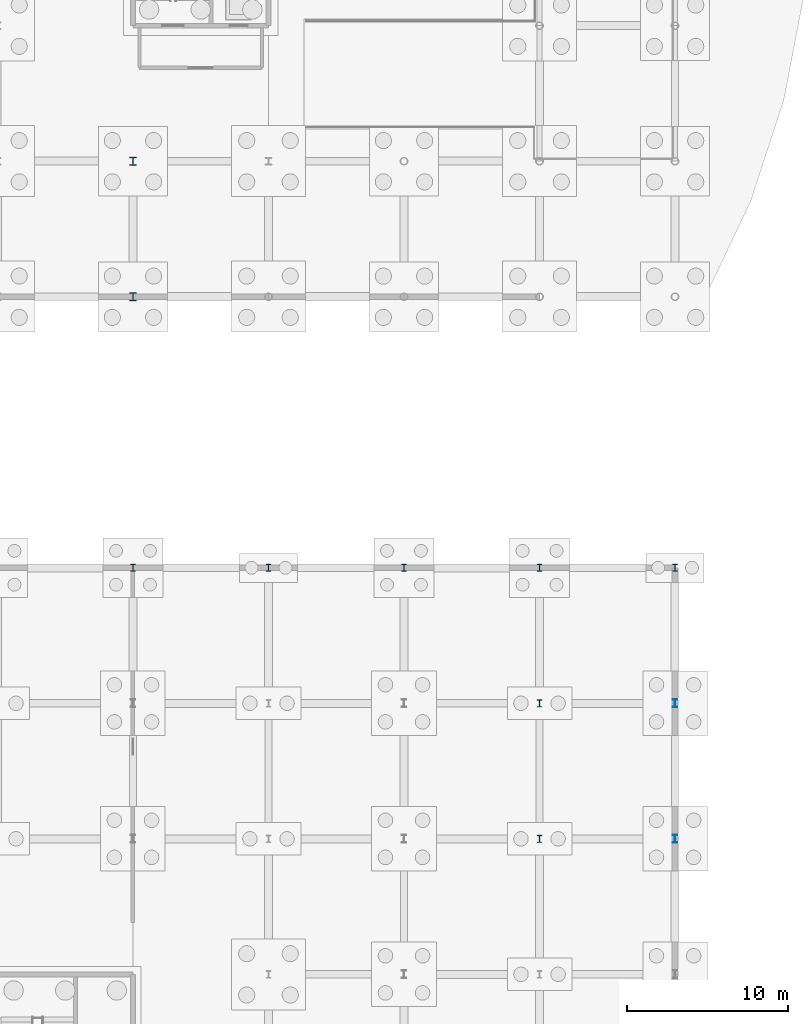
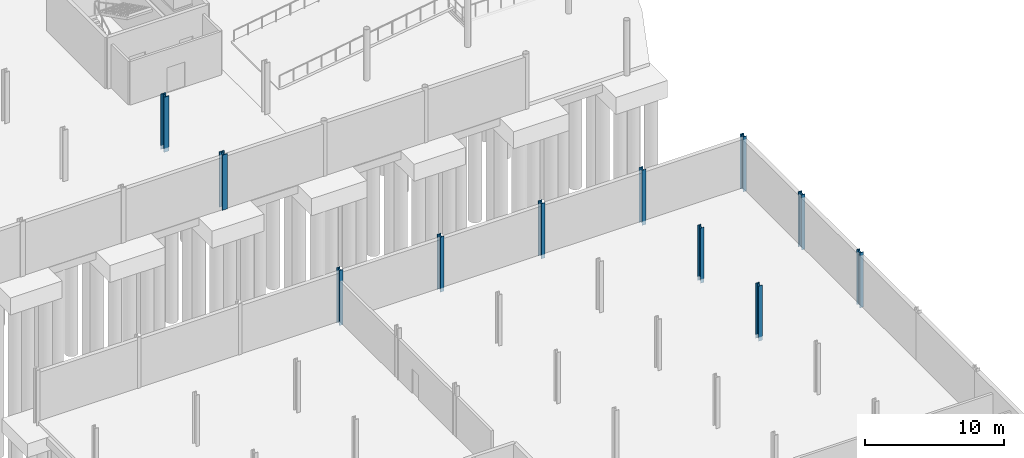
# One storey, part 27 of 51: 11 columns.
"""IFC4 building model written with IfcOpenShell, lengths in metres."""

from ifc_helpers import new_model, si_unit, direction, frame, origin, origin_2d, place, context, subcontext, project, spatial, i_section, extrude, material, material_profile, profile_set, type_object, element, save


model = new_model("IFC4")

# Units and contexts
model_context = context("Model", 3, precision=1e-05, world=origin(), true_north=direction((0.0, 1.0)))
body_context = subcontext(model_context, "Body", "Model", "MODEL_VIEW")
ifc_project = project(units=[si_unit("LENGTHUNIT", "METRE"), si_unit("AREAUNIT", "SQUARE_METRE"), si_unit("VOLUMEUNIT", "CUBIC_METRE"), si_unit("PLANEANGLEUNIT", "RADIAN"), si_unit("MASSUNIT", "GRAM", prefix="KILO")], contexts=[model_context])

# Site, building, storey
site_placement = place(None, origin())
site = spatial("IfcSite", under=ifc_project, at=site_placement, CompositionType="ELEMENT")
building_placement = place(site_placement, origin())
building = spatial("IfcBuilding", under=site, at=building_placement, Name="Qalvenar Corner Mobility Hub", CompositionType="ELEMENT")
storey_placement = place(building_placement, frame((0.0, 0.0, -4.5)))
storey = spatial("IfcBuildingStorey", under=building, at=storey_placement, Name="B1", CompositionType="ELEMENT", Elevation=-4.5)

# Columns
ifc_material = material(Name="Steel S355", Category="steel")
ifc_material_profile_1 = material_profile(ifc_material, i_section(OverallWidth=0.419921875, OverallDepth=0.5048828125, WebThickness=0.03662109375, FlangeThickness=0.05908203125, FilletRadius=0.014892578125, at=origin_2d()), Name="HD400x551")
ifc_profile_set_1 = profile_set([ifc_material_profile_1], Name="Steel S355")
column_type_1 = type_object("IfcColumnType", Name="COL-HD400X463", PredefinedType="COLUMN", material=ifc_profile_set_1)
for number, where, z_axis, x_axis, name in (
    (1, (134.39990234375, 67.199951171875, -0.35009765625), (0.0, 0.0, 1.0), (1.0, 0.0, 0.0), "Steel Column B1-G17-8"),
    (2, (134.39990234375, 75.60009765625, -0.35009765625), (0.0, 0.0, 1.0), (1.0, 0.0, 0.0), "Steel Column B1-G17-9"),
):
    element("IfcColumn", number, at=place(storey_placement, frame(where, z_axis=z_axis, x_axis=x_axis)), inside=storey, type_object=column_type_1, Name=name, PredefinedType="COLUMN", context=body_context, shape_type="SweptSolid", body=[
        extrude(i_section(OverallWidth=0.419921875, OverallDepth=0.5048828125, WebThickness=0.03662109375, FlangeThickness=0.05908203125, FilletRadius=0.014892578125, at=origin_2d()), origin(), (0.0, 0.0, 1.0), 4.85009765625),
    ])
ifc_material_profile_2 = material_profile(ifc_material, i_section(OverallWidth=0.300048828125, OverallDepth=0.449951171875, WebThickness=0.013916015625, FlangeThickness=0.02587890625, FilletRadius=0.027099609375, at=origin_2d()), Name="HEB450")
ifc_profile_set_2 = profile_set([ifc_material_profile_2], Name="Steel S355")
column_type_2 = type_object("IfcColumnType", Name="COL-HEB450", PredefinedType="COLUMN", material=ifc_profile_set_2)
for number, where, z_axis, x_axis, name in (
    (3, (134.39990234375, 50.39990234375, -0.35009765625), (0.0, 0.0, 1.0), (1.0, 0.0, 0.0), "Steel Column B1-G17-6"),
    (4, (142.800048828125, 50.39990234375, -0.35009765625), (0.0, 0.0, 1.0), (1.0, 0.0, 0.0), "Steel Column B1-G18-6"),
    (5, (151.199951171875, 50.39990234375, -0.35009765625), (0.0, 0.0, 1.0), (1.0, 0.0, 0.0), "Steel Column B1-G19-6"),
    (6, (159.60009765625, 33.60009765625, -0.35009765625), (0.0, 0.0, 1.0), (1.0, 0.0, 0.0), "Steel Column B1-G20-4"),
    (7, (159.60009765625, 42.0, -0.35009765625), (0.0, 0.0, 1.0), (1.0, 0.0, 0.0), "Steel Column B1-G20-5"),
    (8, (159.60009765625, 50.39990234375, -0.35009765625), (0.0, 0.0, 1.0), (1.0, 0.0, 0.0), "Steel Column B1-G20-6"),
    (9, (168.0, 50.39990234375, -0.35009765625), (0.0, 0.0, 1.0), (1.0, 0.0, 0.0), "Steel Column B1-G21-6"),
):
    element("IfcColumn", number, at=place(storey_placement, frame(where, z_axis=z_axis, x_axis=x_axis)), inside=storey, type_object=column_type_2, Name=name, PredefinedType="COLUMN", context=body_context, shape_type="SweptSolid", body=[
        extrude(i_section(OverallWidth=0.300048828125, OverallDepth=0.449951171875, WebThickness=0.013916015625, FlangeThickness=0.02587890625, FilletRadius=0.027099609375, at=origin_2d()), origin(), (0.0, 0.0, 1.0), 4.85009765625),
    ])
ifc_material_profile_3 = material_profile(ifc_material, i_section(OverallWidth=0.300048828125, OverallDepth=0.5, WebThickness=0.014404296875, FlangeThickness=0.028076171875, FilletRadius=0.027099609375, at=origin_2d()), Name="HEB500")
ifc_profile_set_3 = profile_set([ifc_material_profile_3], Name="Steel S355")
column_type_3 = type_object("IfcColumnType", Name="COL-HEB500", PredefinedType="COLUMN", material=ifc_profile_set_3)
for number, where, z_axis, x_axis, name in (
    (10, (168.0, 33.60009765625, -0.35009765625), (0.0, 0.0, 1.0), (1.0, 0.0, 0.0), "Steel Column B1-G21-4"),
    (11, (168.0, 42.0, -0.35009765625), (0.0, 0.0, 1.0), (1.0, 0.0, 0.0), "Steel Column B1-G21-5"),
):
    element("IfcColumn", number, at=place(storey_placement, frame(where, z_axis=z_axis, x_axis=x_axis)), inside=storey, type_object=column_type_3, Name=name, PredefinedType="COLUMN", context=body_context, shape_type="SweptSolid", body=[
        extrude(i_section(OverallWidth=0.300048828125, OverallDepth=0.5, WebThickness=0.014404296875, FlangeThickness=0.028076171875, FilletRadius=0.027099609375, at=origin_2d()), origin(), (0.0, 0.0, 1.0), 4.85009765625),
    ])

save(model, "model.ifc")
